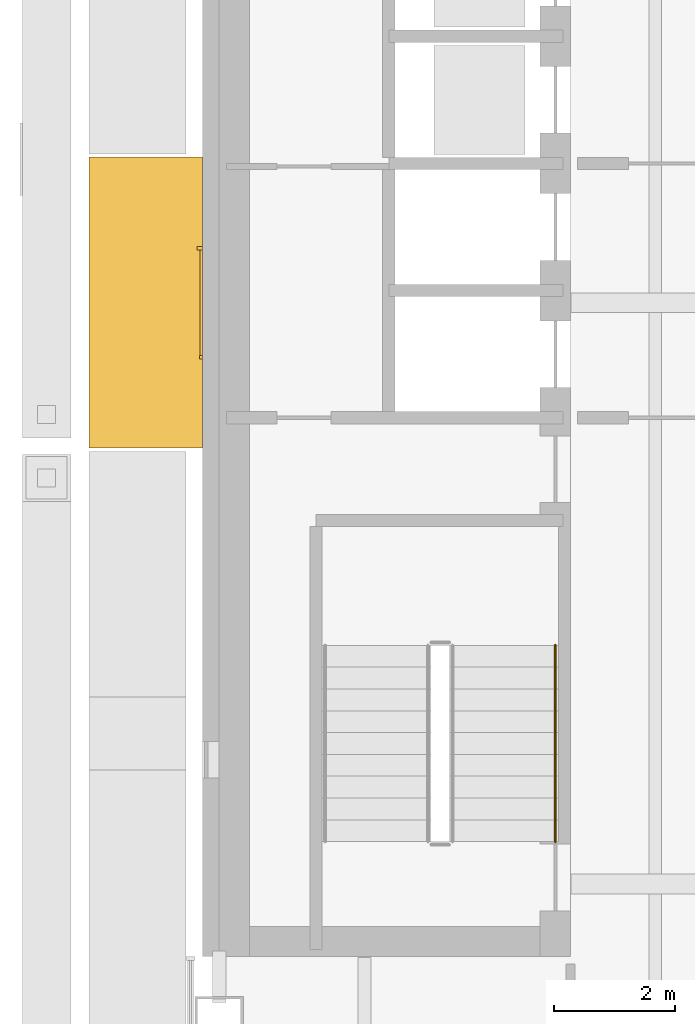
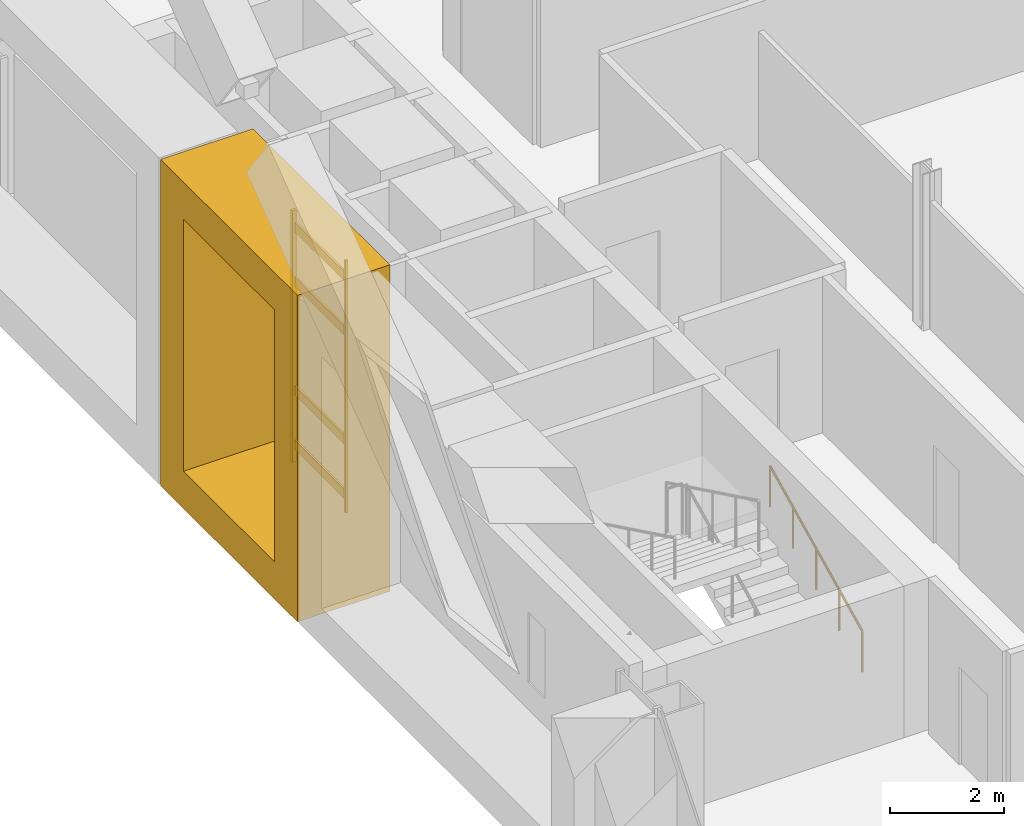
# One storey, part 18 of 22: 7 coverings, 1 railing.
"""IFC4 building model written with IfcOpenShell, lengths in metres."""

import ifcopenshell
import ifcopenshell.guid

model = None  # the IFC model being written
_history = None  # IfcOwnerHistory: only IFC2X3 demands one
_inside = {}  # id of a spatial element -> (the spatial element, [elements in it])
_under = {}  # id of a project, library or spatial element -> (it, [spatial elements below it])
_declared = {}  # id of a project -> (the project, [libraries it declares])
_typed = {}  # id of a type object -> (the type object, [elements of that type])
_made_of = {}  # id of a material, layer set ... -> (it, [elements and type objects made of it])


def new_model(schema):
    """Start an empty IFC model of exactly this schema.

    Asked for "IFC4X3", IfcOpenShell would pick the latest addendum, in which some entities
    have other attributes; the version numbers below select the first issue.
    IFC2X3 requires an IfcOwnerHistory on every rooted entity: one is made here for all.
    """
    global model, _history
    if schema == "IFC4X3":
        model = ifcopenshell.file(schema_version=(4, 3, 0, 0))
    else:
        model = ifcopenshell.file(schema=schema)
    _inside.clear()
    _under.clear()
    _declared.clear()
    _typed.clear()
    _made_of.clear()
    _history = None
    if model.schema == "IFC2X3":
        org = make("IfcOrganization", Name="unknown")
        user = make(
            "IfcPersonAndOrganization",
            ThePerson=make("IfcPerson", FamilyName="unknown"),
            TheOrganization=org,
        )
        app = make(
            "IfcApplication",
            ApplicationDeveloper=org,
            Version="unknown",
            ApplicationFullName="unknown",
            ApplicationIdentifier="unknown",
        )
        _history = make(
            "IfcOwnerHistory",
            OwningUser=user,
            OwningApplication=app,
            ChangeAction="ADDED",
            CreationDate=0,
        )
    return model


def make(cls, **values):
    """One entity of the class cls with the attributes given. An attribute that is None is left unset."""
    return model.create_entity(
        cls, **{name: value for name, value in values.items() if value is not None}
    )


def rooted(cls, **values):
    """An entity with a GlobalId (a new one), such as an element, a storey or a relation."""
    return make(cls, GlobalId=ifcopenshell.guid.new(), OwnerHistory=_history, **values)


def si_unit(unit_type, name, prefix=None):
    """IfcSIUnit, for example si_unit("LENGTHUNIT", "METRE", prefix="MILLI")."""
    return make("IfcSIUnit", UnitType=unit_type, Prefix=prefix, Name=name)


def assignment(units):
    """IfcUnitAssignment: the units of a project."""
    return None if units is None else make("IfcUnitAssignment", Units=units)


def point(xyz):
    """IfcCartesianPoint."""
    return None if xyz is None else make("IfcCartesianPoint", Coordinates=xyz)


def direction(xyz):
    """IfcDirection."""
    return None if xyz is None else make("IfcDirection", DirectionRatios=xyz)


def frame(location, z_axis=None, x_axis=None):
    """IfcAxis2Placement3D, a coordinate frame: its origin and axes. An axis left out is left unset."""
    return make(
        "IfcAxis2Placement3D",
        Location=point(location),
        Axis=direction(z_axis),
        RefDirection=direction(x_axis),
    )


def frame_2d(location, x_axis=None):
    """IfcAxis2Placement2D, a coordinate frame in the plane: its origin and x axis."""
    return make(
        "IfcAxis2Placement2D", Location=point(location), RefDirection=direction(x_axis)
    )


def origin():
    """The frame at (0, 0, 0) with its axes left unset."""
    return frame((0.0, 0.0, 0.0))


def origin_2d():
    """The frame at (0, 0) in the plane with its x axis left unset."""
    return frame_2d((0.0, 0.0))


def place(relative_to, where):
    """IfcLocalPlacement: puts the frame where relative to a parent placement (None: the world)."""
    return make(
        "IfcLocalPlacement", PlacementRelTo=relative_to, RelativePlacement=where
    )


def context(
    kind, dimensions, precision=None, world=None, true_north=None, identifier=None
):
    """IfcGeometricRepresentationContext, for example the 3D "Model" context."""
    return make(
        "IfcGeometricRepresentationContext",
        ContextIdentifier=identifier,
        ContextType=kind,
        CoordinateSpaceDimension=dimensions,
        Precision=precision,
        WorldCoordinateSystem=world,
        TrueNorth=true_north,
    )


def subcontext(parent, identifier, kind, view, scale=None):
    """IfcGeometricRepresentationSubContext, for example "Body" below "Model"."""
    return make(
        "IfcGeometricRepresentationSubContext",
        ContextIdentifier=identifier,
        ContextType=kind,
        ParentContext=parent,
        TargetScale=scale,
        TargetView=view,
    )


def project(units=None, contexts=None):
    """IfcProject with its units and contexts."""
    return rooted(
        "IfcProject",
        Name="project",
        RepresentationContexts=contexts,
        UnitsInContext=assignment(units),
    )


def spatial(cls, under=None, at=None, **own):
    """A site, building, storey or space (cls), placed at a placement, below another one or the project."""
    s = rooted(cls, ObjectPlacement=at, **own)
    if under is not None:
        _under.setdefault(under.id(), (under, []))[1].append(s)
    return s


def polyline(points):
    """IfcPolyline through the points."""
    return make("IfcPolyline", Points=[point(p) for p in points])


def profile(cls, at=None, kind="AREA", **sizes):
    """A parametric profile (cls). Its sizes go by their IFC names, for example OverallWidth=200.0."""
    return make(cls, ProfileType=kind, Position=at, **sizes)


def rectangle(**sizes):
    """IfcRectangleProfileDef."""
    return profile("IfcRectangleProfileDef", **sizes)


def circle(**sizes):
    """IfcCircleProfileDef."""
    return profile("IfcCircleProfileDef", **sizes)


def outline(outer, holes=None, kind="AREA"):
    """IfcArbitraryClosedProfileDef: a profile drawn as a closed curve; with holes, ...WithVoids."""
    if holes is None:
        return make("IfcArbitraryClosedProfileDef", ProfileType=kind, OuterCurve=outer)
    return make(
        "IfcArbitraryProfileDefWithVoids",
        ProfileType=kind,
        OuterCurve=outer,
        InnerCurves=holes,
    )


def extrude(swept, where, along, depth):
    """IfcExtrudedAreaSolid: the profile swept, set in the frame where, extruded along a direction by depth."""
    return make(
        "IfcExtrudedAreaSolid",
        SweptArea=swept,
        Position=where,
        ExtrudedDirection=direction(along),
        Depth=depth,
    )


def shape(context_of_items, identifier, shape_type, items):
    """IfcShapeRepresentation: the items that make up one representation, for example the "Body"."""
    return make(
        "IfcShapeRepresentation",
        ContextOfItems=context_of_items,
        RepresentationIdentifier=identifier,
        RepresentationType=shape_type,
        Items=items,
    )


def material(Name=None, Category=None):
    """IfcMaterial."""
    return make("IfcMaterial", Name=Name, Category=Category)


def made_of(thing, what):
    """Note that an element or type object is made of a material, layer set ...; save() writes the relation."""
    if what is not None:
        _made_of.setdefault(what.id(), (what, []))[1].append(thing)
    return thing


def type_object(cls, material=None, **own):
    """A type object (cls), such as IfcWallType, which elements share."""
    return made_of(rooted(cls, **own), material)


def element(
    cls,
    number,
    at=None,
    inside=None,
    cuts=None,
    type_object=None,
    material=None,
    context=None,
    identifier="Body",
    shape_type=None,
    held_by="IfcProductDefinitionShape",
    body=None,
    shapes=None,
    **own,
):
    """One element of the class cls, such as IfcWall. Its Tag is "e" and its number.

    at: its placement. inside: the storey or other place that contains it. cuts: it is an
    opening in that element (IfcRelVoidsElement). A single representation is given by context,
    identifier, shape_type and body (its items); several are given by shapes. held_by: the class
    of the entity that holds the representations. save() writes the other relations.
    """
    e = rooted(cls, Tag="e%d" % number, ObjectPlacement=at, **own)
    if body is not None:
        shapes = [shape(context, identifier, shape_type, body)]
    if shapes is not None:
        e.Representation = make(held_by, Representations=shapes)
    if inside is not None:
        _inside.setdefault(inside.id(), (inside, []))[1].append(e)
    if cuts is not None:
        rooted(
            "IfcRelVoidsElement", RelatingBuildingElement=cuts, RelatedOpeningElement=e
        )
    if type_object is not None:
        _typed.setdefault(type_object.id(), (type_object, []))[1].append(e)
    return made_of(e, material)


def aggregate(whole, parts):
    """IfcRelAggregates: a whole, such as a stair, and the parts it consists of."""
    return rooted("IfcRelAggregates", RelatingObject=whole, RelatedObjects=parts)


def save(model, path):
    """Write the relations noted so far, then the file.

    IfcRelAggregates (storeys below a building ...), IfcRelContainedInSpatialStructure (elements
    in a storey), IfcRelDefinesByType, IfcRelAssociatesMaterial and IfcRelDeclares: one each for
    every whole, place, type object, material and project.
    """
    for whole, parts in _under.values():
        aggregate(whole, parts)
    for where, things in _inside.values():
        rooted(
            "IfcRelContainedInSpatialStructure",
            RelatedElements=things,
            RelatingStructure=where,
        )
    for kind, things in _typed.values():
        rooted("IfcRelDefinesByType", RelatedObjects=things, RelatingType=kind)
    for what, things in _made_of.values():
        rooted("IfcRelAssociatesMaterial", RelatedObjects=things, RelatingMaterial=what)
    for by, libraries in _declared.values():
        rooted("IfcRelDeclares", RelatingContext=by, RelatedDefinitions=libraries)
    model.write(path)


model = new_model("IFC4")

# Units and contexts
model_context = context("Model", 3, precision=1e-05, world=origin(), true_north=direction((0.0, 1.0)))
body_context = subcontext(model_context, "Body", "Model", "MODEL_VIEW")
ifc_project = project(units=[si_unit("LENGTHUNIT", "METRE"), si_unit("AREAUNIT", "SQUARE_METRE"), si_unit("VOLUMEUNIT", "CUBIC_METRE"), si_unit("PLANEANGLEUNIT", "RADIAN"), si_unit("MASSUNIT", "GRAM", prefix="KILO")], contexts=[model_context])

# Site, building, storey
site_placement = place(None, origin())
site = spatial("IfcSite", under=ifc_project, at=site_placement, CompositionType="ELEMENT")
building_placement = place(site_placement, origin())
building = spatial("IfcBuilding", under=site, at=building_placement, Name="Cobrizo Arcos Hotel Tower", CompositionType="ELEMENT")
storey_placement = place(building_placement, frame((0.0, 0.0, 162.0)))
storey = spatial("IfcBuildingStorey", under=building, at=storey_placement, Name="L41", CompositionType="ELEMENT", Elevation=162.0)

# Coverings
ifc_material_1 = material(Name="Aluminium 6063-T6 anodised bronze", Category="aluminium")
covering_type_1 = type_object("IfcCoveringType", Name="FIN-F 1875", PredefinedType="CLADDING", material=ifc_material_1)
covering_1_placement = place(storey_placement, frame((-21.875, 2.403564453125, 0.0), z_axis=(-1.0, 0.0, 0.0), x_axis=(0.0, -1.0, 0.0)))
element("IfcCovering", 1, at=covering_1_placement, inside=storey, type_object=covering_type_1, Name="Fin frame 273", PredefinedType="CLADDING", context=body_context, shape_type="SweptSolid", body=[
    extrude(outline(polyline([(0.0, 7.0), (0.0, 0.0), (4.80712890625, 0.0), (4.80712890625, 7.0), (0.0, 7.0)]), holes=[polyline([(4.007080078125, 0.800048828125), (0.800048828125, 0.800048828125), (0.800048828125, 6.199951171875), (4.007080078125, 6.199951171875), (4.007080078125, 0.800048828125)])]), origin(), (0.0, 0.0, 1.0), 1.875),
])
ifc_material_2 = material(Name="Aluminium 6063-T6 anodised pale", Category="aluminium")
covering_type_2 = type_object("IfcCoveringType", Name="RS-1 rainscreen rib 60x90", PredefinedType="CLADDING", material=ifc_material_2)
covering_2_placement = place(storey_placement, frame((-21.919921875, 0.89990234375, 0.800048828125), z_axis=(0.0, 0.0, 1.0), x_axis=(0.0, -1.0, 0.0)))
element("IfcCovering", 2, at=covering_2_placement, inside=storey, type_object=covering_type_2, Name="Rainscreen rib 185", PredefinedType="CLADDING", context=body_context, shape_type="SweptSolid", body=[
    extrude(rectangle(XDim=0.06005859375, YDim=0.090087890625, at=origin_2d()), origin(), (0.0, 0.0, 1.0), 5.39990234375),
])
covering_type_3 = type_object("IfcCoveringType", Name="RS-2 rainscreen rib 60x50", PredefinedType="CLADDING", material=ifc_material_2)
covering_3_placement = place(storey_placement, frame((-21.89990234375, -0.89990234375, 0.800048828125), z_axis=(0.0, 0.0, 1.0), x_axis=(0.0, -1.0, 0.0)))
element("IfcCovering", 3, at=covering_3_placement, inside=storey, type_object=covering_type_3, Name="Rainscreen rib 186", PredefinedType="CLADDING", context=body_context, shape_type="SweptSolid", body=[
    extrude(rectangle(XDim=0.06005859375, YDim=0.050048828125, at=origin_2d()), origin(), (0.0, 0.0, 1.0), 5.39990234375),
])
covering_type_4 = type_object("IfcCoveringType", Name="RS-3 rainscreen louvre slat 200x40", PredefinedType="CLADDING", material=ifc_material_2)
for number, where, z_axis, x_axis, name in (
    (4, (-21.89501953125, 0.0, 1.06689453125), (0.0, 0.0, 1.0), (0.0, -1.0, 0.0), "Rainscreen slat 39"),
    (5, (-21.89501953125, 0.0, 2.2333984375), (0.0, 0.0, 1.0), (0.0, -1.0, 0.0), "Rainscreen slat 40"),
    (6, (-21.89501953125, 0.0, 4.56689453125), (0.0, 0.0, 1.0), (0.0, -1.0, 0.0), "Rainscreen slat 41"),
    (7, (-21.89501953125, 0.0, 5.7333984375), (0.0, 0.0, 1.0), (0.0, -1.0, 0.0), "Rainscreen slat 42"),
):
    element("IfcCovering", number, at=place(storey_placement, frame(where, z_axis=z_axis, x_axis=x_axis)), inside=storey, type_object=covering_type_4, Name=name, PredefinedType="CLADDING", context=body_context, shape_type="SweptSolid", body=[
        extrude(rectangle(XDim=1.739990234375, YDim=0.0400390625, at=origin_2d()), origin(), (0.0, 0.0, 1.0), 0.199951171875),
    ])

# Railing
ifc_material_3 = material(Name="Stainless steel railing", Category="steel")
railing_type = type_object("IfcRailingType", Name="Stair handrail", PredefinedType="HANDRAIL", material=ifc_material_3)
railing_placement = place(storey_placement, frame((-16.050048828125, -8.89990234375, 0.175048828125)))
element("IfcRailing", 8, at=railing_placement, inside=storey, type_object=railing_type, Name="L41 ST-W stair handrail 1", PredefinedType="HANDRAIL", context=body_context, shape_type="SweptSolid", body=[
    extrude(circle(Radius=0.02392578125, at=origin_2d()), frame((0.0, 0.0, 0.8759765625), z_axis=(0.0, 0.899372665325, 0.437182809435), x_axis=(-1.0, 0.0, 0.0)), (0.0, 0.0, 1.0), 3.6025390625),
    extrude(circle(Radius=0.02099609375, at=origin_2d()), origin(), (0.0, 0.0, 1.0), 0.851806640625),
    extrude(circle(Radius=0.02099609375, at=origin_2d()), frame((0.0, 0.81005859375, 0.393798828125)), (0.0, 0.0, 1.0), 0.851806640625),
    extrude(circle(Radius=0.02099609375, at=origin_2d()), frame((0.0, 1.6201171875, 0.78759765625)), (0.0, 0.0, 1.0), 0.851806640625),
    extrude(circle(Radius=0.02099609375, at=origin_2d()), frame((0.0, 2.429931640625, 1.18115234375)), (0.0, 0.0, 1.0), 0.851806640625),
    extrude(circle(Radius=0.02099609375, at=origin_2d()), frame((0.0, 3.239990234375, 1.574951171875)), (0.0, 0.0, 1.0), 0.851806640625),
])

save(model, "model.ifc")
